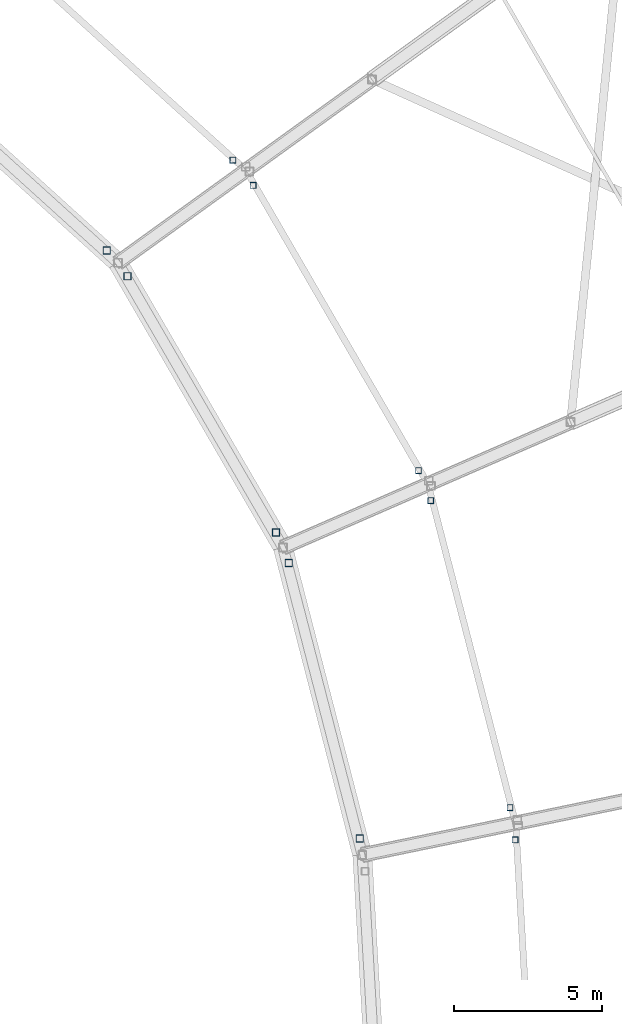
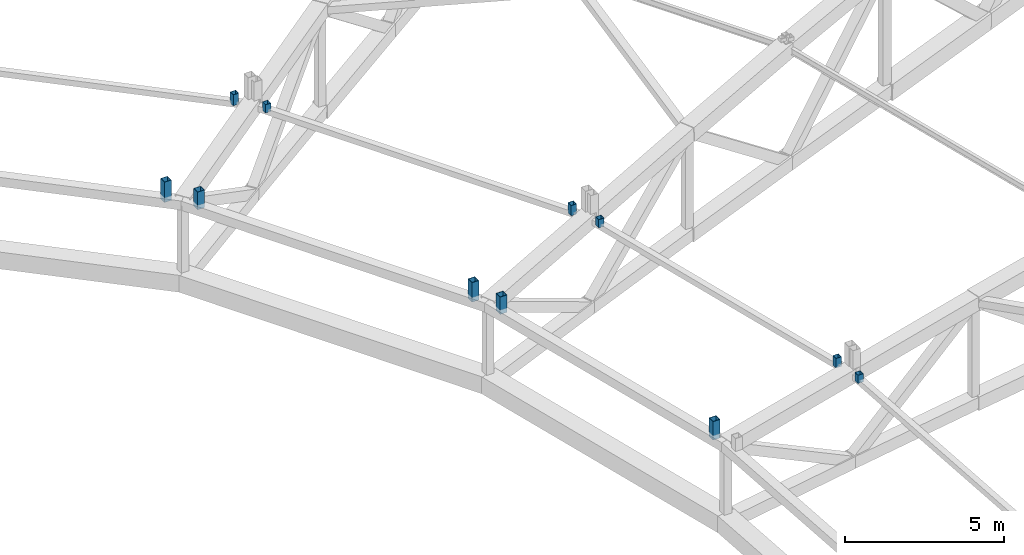
# One storey, part 121 of 162: 11 members.
"""IFC4 building model written with IfcOpenShell, lengths in metres."""

from ifc_helpers import new_model, si_unit, direction, frame, origin, origin_2d, place, context, subcontext, project, spatial, hollow_rectangle, extrude, material, material_profile, profile_set, type_object, element, save


model = new_model("IFC4")

# Units and contexts
model_context = context("Model", 3, precision=1e-05, world=origin(), true_north=direction((0.0, 1.0)))
body_context = subcontext(model_context, "Body", "Model", "MODEL_VIEW")
ifc_project = project(units=[si_unit("LENGTHUNIT", "METRE"), si_unit("AREAUNIT", "SQUARE_METRE"), si_unit("VOLUMEUNIT", "CUBIC_METRE"), si_unit("PLANEANGLEUNIT", "RADIAN"), si_unit("MASSUNIT", "GRAM", prefix="KILO")], contexts=[model_context])

# Site, building, storey
site_placement = place(None, origin())
site = spatial("IfcSite", under=ifc_project, at=site_placement, CompositionType="ELEMENT")
building_placement = place(site_placement, origin())
building = spatial("IfcBuilding", under=site, at=building_placement, Name="Kazemori Nagisa Stadium", CompositionType="ELEMENT")
storey_placement = place(building_placement, frame((0.0, 0.0, 36.719970703125)))
storey = spatial("IfcBuildingStorey", under=building, at=storey_placement, Name="RF", CompositionType="ELEMENT", Elevation=36.719970703125)

# Members
ifc_material = material(Name="Steel STKR490", Category="steel")
ifc_material_profile_1 = material_profile(ifc_material, hollow_rectangle(XDim=0.25, YDim=0.25, WallThickness=0.011962890625, at=origin_2d()), Name="SHS-250x250x12")
ifc_profile_set_1 = profile_set([ifc_material_profile_1], Name="Steel STKR490")
member_type_1 = type_object("IfcMemberType", Name="Member_ST-SHS250", PredefinedType="STUD", material=ifc_profile_set_1)
member_1_placement = place(storey_placement, frame((173.140869140625, 112.930419921875, 4.39501953125), z_axis=(0.0, 0.0, 1.0), x_axis=(1.0, 0.0, 0.0)))
element("IfcMember", 1, at=member_1_placement, inside=storey, type_object=member_type_1, Name="Oculus skylight bearing stool B02-1", PredefinedType="STUD", context=body_context, shape_type="SweptSolid", body=[
    extrude(hollow_rectangle(XDim=0.25, YDim=0.25, WallThickness=0.011962890625, at=origin_2d()), origin(), (0.0, 0.0, 1.0), 0.714111328125),
])
member_2_placement = place(storey_placement, frame((170.74853515625, 122.208251953125, 4.43896484375), z_axis=(0.0, 0.0, 1.0), x_axis=(1.0, 0.0, 0.0)))
element("IfcMember", 2, at=member_2_placement, inside=storey, type_object=member_type_1, Name="Oculus skylight bearing stool B02-2", PredefinedType="STUD", context=body_context, shape_type="SweptSolid", body=[
    extrude(hollow_rectangle(XDim=0.25, YDim=0.25, WallThickness=0.011962890625, at=origin_2d()), origin(), (0.0, 0.0, 1.0), 0.670166015625),
])
member_3_placement = place(storey_placement, frame((170.322509765625, 123.240234375, 4.43896484375), z_axis=(0.0, 0.0, 1.0), x_axis=(1.0, 0.0, 0.0)))
element("IfcMember", 3, at=member_3_placement, inside=storey, type_object=member_type_1, Name="Oculus skylight bearing stool B03-1", PredefinedType="STUD", context=body_context, shape_type="SweptSolid", body=[
    extrude(hollow_rectangle(XDim=0.25, YDim=0.25, WallThickness=0.011962890625, at=origin_2d()), origin(), (0.0, 0.0, 1.0), 0.748046875),
])
member_4_placement = place(storey_placement, frame((165.322021484375, 131.863525390625, 4.510986328125), z_axis=(0.0, 0.0, 1.0), x_axis=(1.0, 0.0, 0.0)))
element("IfcMember", 4, at=member_4_placement, inside=storey, type_object=member_type_1, Name="Oculus skylight bearing stool B03-2", PredefinedType="STUD", context=body_context, shape_type="SweptSolid", body=[
    extrude(hollow_rectangle(XDim=0.25, YDim=0.25, WallThickness=0.011962890625, at=origin_2d()), origin(), (0.0, 0.0, 1.0), 0.676025390625),
])
member_5_placement = place(storey_placement, frame((164.619384765625, 132.731689453125, 4.510986328125), z_axis=(0.0, 0.0, 1.0), x_axis=(1.0, 0.0, 0.0)))
element("IfcMember", 5, at=member_5_placement, inside=storey, type_object=member_type_1, Name="Oculus skylight bearing stool B04-1", PredefinedType="STUD", context=body_context, shape_type="SweptSolid", body=[
    extrude(hollow_rectangle(XDim=0.25, YDim=0.25, WallThickness=0.011962890625, at=origin_2d()), origin(), (0.0, 0.0, 1.0), 0.779052734375),
])
ifc_material_profile_2 = material_profile(ifc_material, hollow_rectangle(XDim=0.199951171875, YDim=0.199951171875, WallThickness=0.009033203125, at=origin_2d()), Name="SHS-200x200x9")
ifc_profile_set_2 = profile_set([ifc_material_profile_2], Name="Steel STKR490")
member_type_2 = type_object("IfcMemberType", Name="Member_TS-SHS200", PredefinedType="STRUT", material=ifc_profile_set_2)
member_6_placement = place(storey_placement, frame((178.36962890625, 112.884521484375, 4.74609375), z_axis=(0.0, 0.0, 1.0), x_axis=(1.0, 0.0, 0.0)))
element("IfcMember", 6, at=member_6_placement, inside=storey, type_object=member_type_2, Name="Oculus skylight bearing stool B01-3", PredefinedType="STRUT", context=body_context, shape_type="SweptSolid", body=[
    extrude(hollow_rectangle(XDim=0.199951171875, YDim=0.199951171875, WallThickness=0.009033203125, at=origin_2d()), origin(), (0.0, 0.0, 1.0), 0.31494140625),
])
member_7_placement = place(storey_placement, frame((175.5322265625, 124.30859375, 4.7939453125), z_axis=(0.0, 0.0, 1.0), x_axis=(1.0, 0.0, 0.0)))
element("IfcMember", 7, at=member_7_placement, inside=storey, type_object=member_type_2, Name="Oculus skylight bearing stool B02-3", PredefinedType="STRUT", context=body_context, shape_type="SweptSolid", body=[
    extrude(hollow_rectangle(XDim=0.199951171875, YDim=0.199951171875, WallThickness=0.009033203125, at=origin_2d()), origin(), (0.0, 0.0, 1.0), 0.315185546875),
])
member_8_placement = place(storey_placement, frame((178.19873046875, 113.970947265625, 4.74609375), z_axis=(0.0, 0.0, 1.0), x_axis=(1.0, 0.0, 0.0)))
element("IfcMember", 8, at=member_8_placement, inside=storey, type_object=member_type_2, Name="Oculus skylight bearing stool B02-4", PredefinedType="STRUT", context=body_context, shape_type="SweptSolid", body=[
    extrude(hollow_rectangle(XDim=0.199951171875, YDim=0.199951171875, WallThickness=0.009033203125, at=origin_2d()), origin(), (0.0, 0.0, 1.0), 0.363037109375),
])
member_9_placement = place(storey_placement, frame((169.54833984375, 134.925048828125, 4.8720703125), z_axis=(0.0, 0.0, 1.0), x_axis=(1.0, 0.0, 0.0)))
element("IfcMember", 9, at=member_9_placement, inside=storey, type_object=member_type_2, Name="Oculus skylight bearing stool B03-3", PredefinedType="STRUT", context=body_context, shape_type="SweptSolid", body=[
    extrude(hollow_rectangle(XDim=0.199951171875, YDim=0.199951171875, WallThickness=0.009033203125, at=origin_2d()), origin(), (0.0, 0.0, 1.0), 0.31494140625),
])
member_10_placement = place(storey_placement, frame((175.117919921875, 125.320068359375, 4.7939453125), z_axis=(0.0, 0.0, 1.0), x_axis=(1.0, 0.0, 0.0)))
element("IfcMember", 10, at=member_10_placement, inside=storey, type_object=member_type_2, Name="Oculus skylight bearing stool B03-4", PredefinedType="STRUT", context=body_context, shape_type="SweptSolid", body=[
    extrude(hollow_rectangle(XDim=0.199951171875, YDim=0.199951171875, WallThickness=0.009033203125, at=origin_2d()), origin(), (0.0, 0.0, 1.0), 0.39306640625),
])
member_11_placement = place(storey_placement, frame((168.865234375, 135.775390625, 4.8720703125), z_axis=(0.0, 0.0, 1.0), x_axis=(1.0, 0.0, 0.0)))
element("IfcMember", 11, at=member_11_placement, inside=storey, type_object=member_type_2, Name="Oculus skylight bearing stool B04-4", PredefinedType="STRUT", context=body_context, shape_type="SweptSolid", body=[
    extrude(hollow_rectangle(XDim=0.199951171875, YDim=0.199951171875, WallThickness=0.009033203125, at=origin_2d()), origin(), (0.0, 0.0, 1.0), 0.41796875),
])

save(model, "model.ifc")
